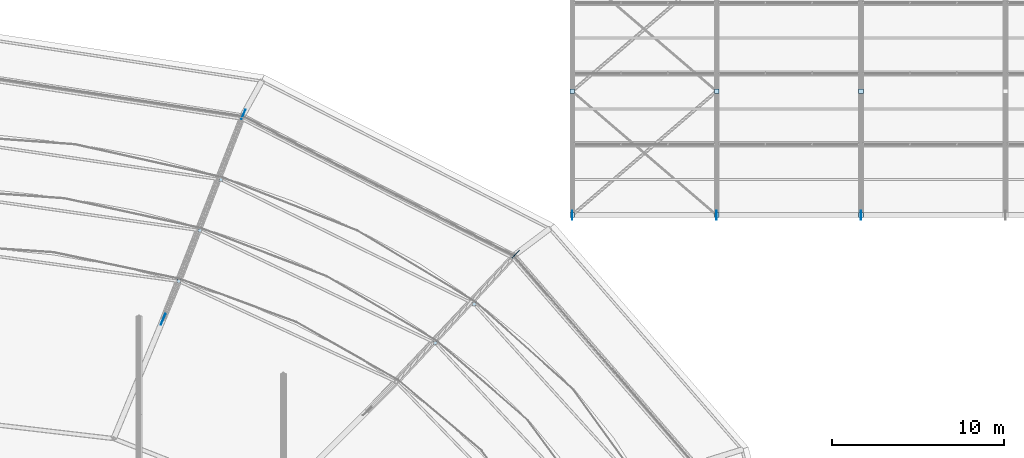
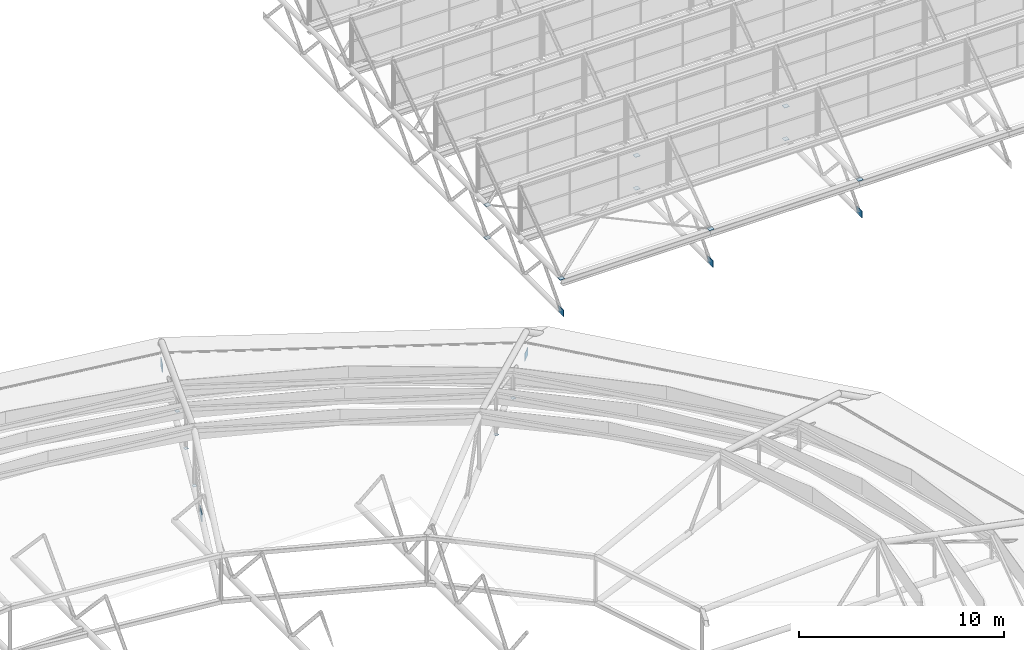
# One storey, part 122 of 134: 20 plates.
"""IFC4 building model written with IfcOpenShell, lengths in metres."""

from ifc_helpers import new_model, si_unit, derived_unit, direction, frame, origin, origin_2d, place, context, subcontext, project, spatial, rectangle, extrude, material, layer, layer_set, type_object, element, save


model = new_model("IFC4")

# Units and contexts
model_context = context("Model", 3, precision=1e-05, world=origin(), true_north=direction((0.0, 1.0)))
body_context = subcontext(model_context, "Body", "Model", "MODEL_VIEW")
ifc_project = project(units=[si_unit("LENGTHUNIT", "METRE"), si_unit("AREAUNIT", "SQUARE_METRE"), si_unit("VOLUMEUNIT", "CUBIC_METRE"), si_unit("PLANEANGLEUNIT", "RADIAN"), si_unit("MASSUNIT", "GRAM", prefix="KILO"), derived_unit("THERMALTRANSMITTANCEUNIT", [(si_unit("MASSUNIT", "GRAM", prefix="KILO"), 1), (si_unit("TIMEUNIT", "SECOND"), -3), (si_unit("THERMODYNAMICTEMPERATUREUNIT", "KELVIN"), -1)])], contexts=[model_context])

# Site, building, storey
site_placement = place(None, origin())
site = spatial("IfcSite", under=ifc_project, at=site_placement, CompositionType="ELEMENT")
building_placement = place(site_placement, origin())
building = spatial("IfcBuilding", under=site, at=building_placement, Name="Kharveza Railside Sports Centre", CompositionType="ELEMENT")
storey_placement = place(building_placement, frame((0.0, 0.0, 12.89990234375)))
storey = spatial("IfcBuildingStorey", under=building, at=storey_placement, Name="L03", CompositionType="ELEMENT", Elevation=12.89990234375)

# Plates
ifc_material = material(Name="Steel S355J2", Category="steel")
ifc_layer_1 = layer(ifc_material, 0.02001953125, Name="Steel S355J2")
ifc_layer_set_1 = layer_set([ifc_layer_1], Name="Steel S355J2")
plate_type_1 = type_object("IfcPlateType", Name="PL-EC05", PredefinedType="USERDEFINED", material=ifc_layer_set_1)
for number, where, z_axis, x_axis, name in (
    (1, (92.39990234375, 79.199951171875, 1.940185546875), (0.0, 0.0, 1.0), (1.0, 0.0, 0.0), "PLT-EC-110"),
    (2, (92.39990234375, 86.39990234375, -0.010009765625), (0.0, 0.0, 1.0), (1.0, 0.0, 0.0), "PLT-EC-111"),
    (3, (92.39990234375, 86.39990234375, 1.940185546875), (0.0, 0.0, 1.0), (1.0, 0.0, 0.0), "PLT-EC-112"),
    (4, (100.800048828125, 79.199951171875, 1.940185546875), (0.0, 0.0, 1.0), (1.0, 0.0, 0.0), "PLT-EC-114"),
    (5, (100.800048828125, 86.39990234375, -0.010009765625), (0.0, 0.0, 1.0), (1.0, 0.0, 0.0), "PLT-EC-115"),
    (6, (100.800048828125, 86.39990234375, 1.940185546875), (0.0, 0.0, 1.0), (1.0, 0.0, 0.0), "PLT-EC-116"),
    (7, (109.199951171875, 79.199951171875, 1.940185546875), (0.0, 0.0, 1.0), (1.0, 0.0, 0.0), "PLT-EC-118"),
    (8, (109.199951171875, 86.39990234375, -0.010009765625), (0.0, 0.0, 1.0), (1.0, 0.0, 0.0), "PLT-EC-119"),
    (9, (109.199951171875, 86.39990234375, 1.940185546875), (0.0, 0.0, 1.0), (1.0, 0.0, 0.0), "PLT-EC-120"),
):
    element("IfcPlate", number, at=place(storey_placement, frame(where, z_axis=z_axis, x_axis=x_axis)), inside=storey, type_object=plate_type_1, Name=name, ObjectType="END_CAP_PLATE", PredefinedType="USERDEFINED", context=body_context, shape_type="SweptSolid", body=[
        extrude(rectangle(XDim=0.27294921875, YDim=0.27294921875, at=origin_2d()), origin(), (0.0, 0.0, 1.0), 0.02001953125),
    ])
ifc_layer_2 = layer(ifc_material, 0.02001953125, Name="Steel S355J2")
ifc_layer_set_2 = layer_set([ifc_layer_2], Name="Steel S355J2")
plate_type_2 = type_object("IfcPlateType", Name="PL-EC09", PredefinedType="USERDEFINED", material=ifc_layer_set_2)
for number, where, z_axis, x_axis, name in (
    (10, (86.70263671875, 74.017333984375, -0.059814453125), (0.0, 0.0, 1.0), (1.0, 0.0, 0.0), "PLT-EC-022"),
    (11, (71.973876953125, 81.257568359375, -0.059814453125), (0.0, 0.0, 1.0), (1.0, 0.0, 0.0), "PLT-EC-023"),
    (12, (84.43994140625, 71.754638671875, -0.059814453125), (0.0, 0.0, 1.0), (1.0, 0.0, 0.0), "PLT-EC-038"),
    (13, (70.749267578125, 78.30126953125, -0.059814453125), (0.0, 0.0, 1.0), (1.0, 0.0, 0.0), "PLT-EC-039"),
    (14, (69.524658203125, 75.3447265625, -0.059814453125), (0.0, 0.0, 1.0), (1.0, 0.0, 0.0), "PLT-EC-055"),
):
    element("IfcPlate", number, at=place(storey_placement, frame(where, z_axis=z_axis, x_axis=x_axis)), inside=storey, type_object=plate_type_2, Name=name, ObjectType="END_CAP_PLATE", PredefinedType="USERDEFINED", context=body_context, shape_type="SweptSolid", body=[
        extrude(rectangle(XDim=0.194091796875, YDim=0.194091796875, at=origin_2d()), origin(), (0.0, 0.0, 1.0), 0.02001953125),
    ])
ifc_layer_3 = layer(ifc_material, 0.030029296875, Name="Steel S355J2")
ifc_layer_set_3 = layer_set([ifc_layer_3], Name="Steel S355J2")
plate_type_3 = type_object("IfcPlateType", Name="PL-GS01", PredefinedType="USERDEFINED", material=ifc_layer_set_3)
plate_placement = place(storey_placement, frame((68.606201171875, 73.12744140625, -0.309814453125), z_axis=(0.0, 0.0, 1.0), x_axis=(0.382683432365, 0.923879532511, 0.0)))
element("IfcPlate", 15, at=plate_placement, inside=storey, type_object=plate_type_3, Name="PLT-GS-DRUM-04", ObjectType="GUSSET_PLATE", PredefinedType="USERDEFINED", context=body_context, shape_type="SweptSolid", body=[
    extrude(rectangle(XDim=0.679931640625, YDim=0.030029296875, at=origin_2d()), origin(), (0.0, 0.0, 1.0), 0.52001953125),
])
ifc_layer_4 = layer(ifc_material, 0.02490234375, Name="Steel S355J2")
ifc_layer_set_4 = layer_set([ifc_layer_4], Name="Steel S355J2")
plate_type_4 = type_object("IfcPlateType", Name="PL-GS02", PredefinedType="USERDEFINED", material=ifc_layer_set_4)
for number, where, z_axis, x_axis, name in (
    (16, (89.106689453125, 76.91650390625, -0.27978515625), (0.0, 0.0, 1.0), (0.707106781187, 0.707106781187, 0.0), "PLT-GS-RAKER-03"),
    (17, (73.27490234375, 85.04541015625, -0.27978515625), (0.0, 0.0, 1.0), (0.382683432365, 0.923879532511, 0.0), "PLT-GS-RAKER-04"),
):
    element("IfcPlate", number, at=place(storey_placement, frame(where, z_axis=z_axis, x_axis=x_axis)), inside=storey, type_object=plate_type_4, Name=name, ObjectType="GUSSET_PLATE", PredefinedType="USERDEFINED", context=body_context, shape_type="SweptSolid", body=[
        extrude(rectangle(XDim=0.60009765625, YDim=0.02490234375, at=origin_2d()), origin(), (0.0, 0.0, 1.0), 0.4599609375),
    ])
ifc_layer_5 = layer(ifc_material, 0.02197265625, Name="Steel S355J2")
ifc_layer_set_5 = layer_set([ifc_layer_5], Name="Steel S355J2")
plate_type_5 = type_object("IfcPlateType", Name="PL-GS03", PredefinedType="USERDEFINED", material=ifc_layer_set_5)
for number, where, z_axis, x_axis, name in (
    (18, (92.39990234375, 79.199951171875, -0.199951171875), (0.0, 0.0, 1.0), (1.0, 0.0, 0.0), "PLT-GS-V2-1-S"),
    (19, (100.800048828125, 79.199951171875, -0.199951171875), (0.0, 0.0, 1.0), (1.0, 0.0, 0.0), "PLT-GS-V2-2-S"),
    (20, (109.199951171875, 79.199951171875, -0.199951171875), (0.0, 0.0, 1.0), (1.0, 0.0, 0.0), "PLT-GS-V2-3-S"),
):
    element("IfcPlate", number, at=place(storey_placement, frame(where, z_axis=z_axis, x_axis=x_axis)), inside=storey, type_object=plate_type_5, Name=name, ObjectType="GUSSET_PLATE", PredefinedType="USERDEFINED", context=body_context, shape_type="SweptSolid", body=[
        extrude(rectangle(XDim=0.02197265625, YDim=0.52001953125, at=origin_2d()), origin(), (0.0, 0.0, 1.0), 0.39990234375),
    ])

save(model, "model.ifc")
